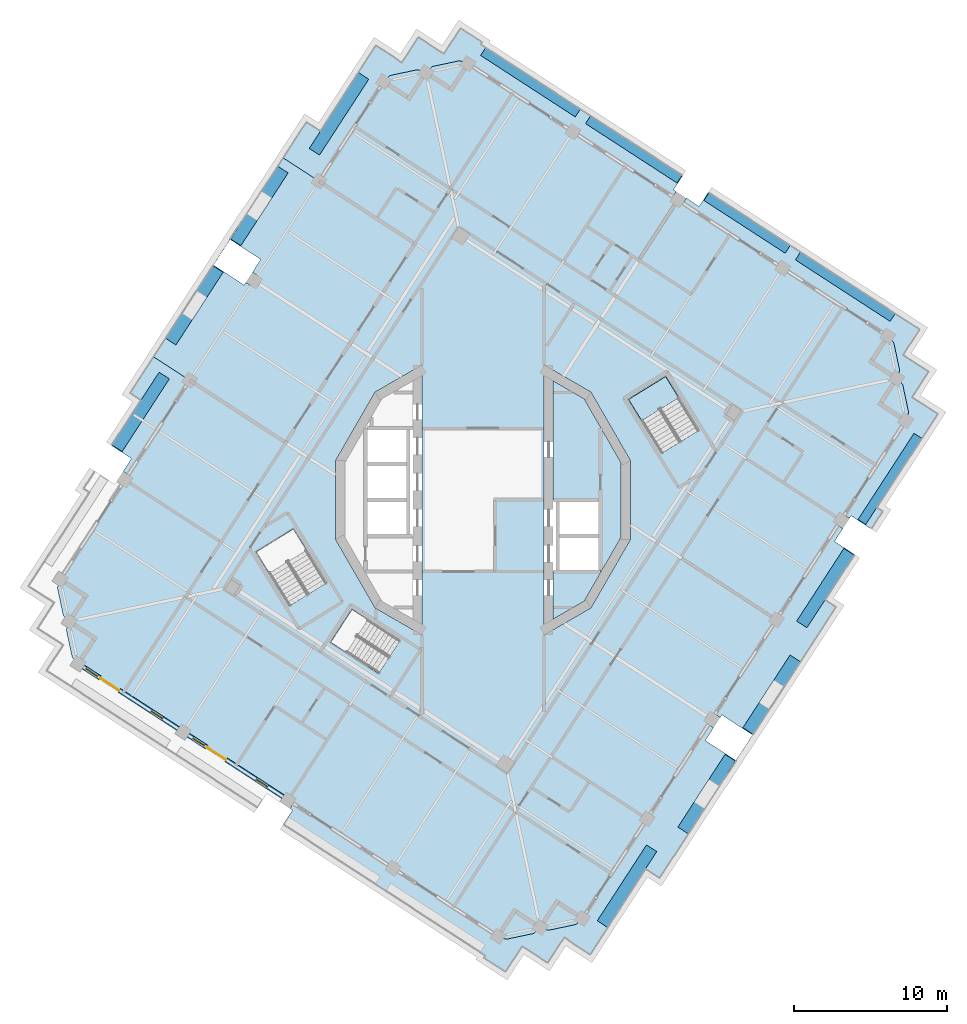
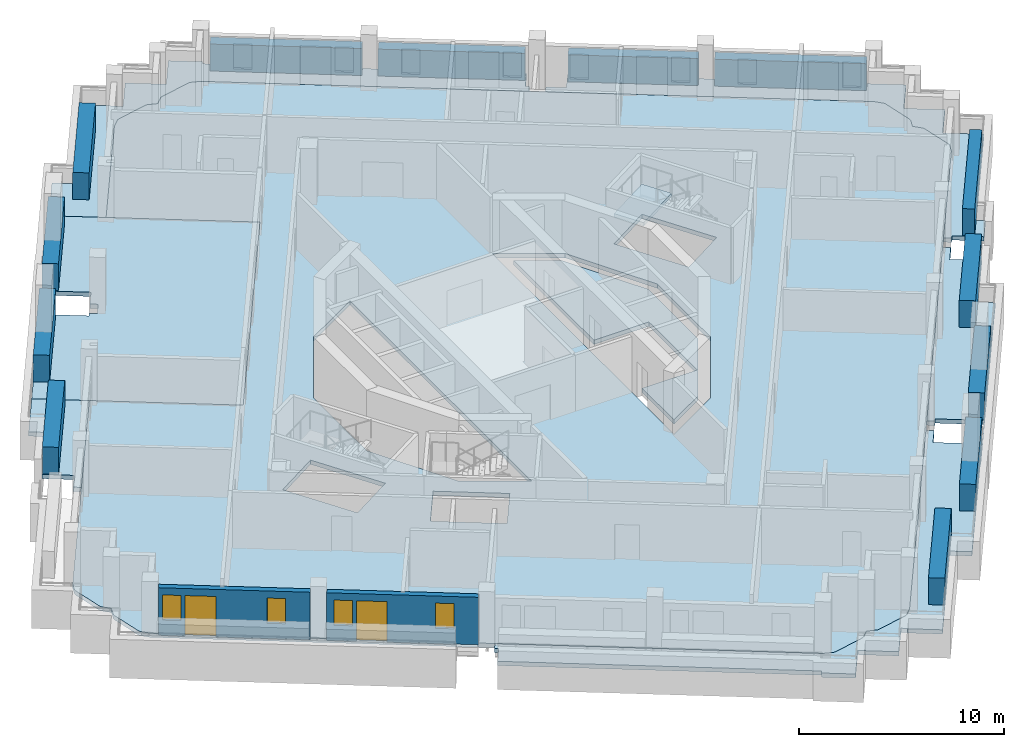
# One storey, part 3 of 15: 13 plates, 8 slabs, 4 windows, 2 doors, 2 walls, 6 openings, 1 element without a shape of its own.
"""IFC4 building model written with IfcOpenShell, lengths in metres."""

from ifc_helpers import new_model, si_unit, direction, frame, frame_2d, origin, origin_2d, place, context, subcontext, project, spatial, polyline, rectangle, outline, extrude, material, layer, layer_set, type_object, element, fill, aggregate, save


model = new_model("IFC4")

# Units and contexts
model_context = context("Model", 3, precision=1e-05, world=origin(), true_north=direction((0.0, 1.0)))
body_context = subcontext(model_context, "Body", "Model", "MODEL_VIEW")
ifc_project = project(units=[si_unit("LENGTHUNIT", "METRE"), si_unit("AREAUNIT", "SQUARE_METRE"), si_unit("VOLUMEUNIT", "CUBIC_METRE"), si_unit("PLANEANGLEUNIT", "RADIAN"), si_unit("MASSUNIT", "GRAM", prefix="KILO")], contexts=[model_context])

# Site, building, storey
site_placement = place(None, origin())
site = spatial("IfcSite", under=ifc_project, at=site_placement, CompositionType="ELEMENT")
building_placement = place(site_placement, origin())
building = spatial("IfcBuilding", under=site, at=building_placement, Name="Cantera Rosa Tower", CompositionType="ELEMENT")
storey_placement = place(building_placement, frame((0.0, 0.0, 282.89990234375)))
storey = spatial("IfcBuildingStorey", under=building, at=storey_placement, Name="L64", CompositionType="ELEMENT", Elevation=282.89990234375)

# Slabs
ifc_material_1 = material(Name="Concrete C35/45", Category="concrete")
ifc_layer_1 = layer(ifc_material_1, 0.25)
ifc_layer_set_1 = layer_set([ifc_layer_1], Name="COMPOSITE FLOOR SLAB 250 C35/45")
slab_type_1 = type_object("IfcSlabType", Name="COMPOSITE FLOOR SLAB 250 C35/45", PredefinedType="FLOOR", material=ifc_layer_set_1)
slab_1_placement = place(storey_placement, frame((0.0, 0.0, -0.25)))
element("IfcSlab", 1, at=slab_1_placement, inside=storey, type_object=slab_type_1, Name="SLAB L64 floor 2", PredefinedType="FLOOR", context=body_context, shape_type="SweptSolid", body=[
    extrude(outline(polyline([(0.106689453125, -28.030029296875), (-25.650146484375, -11.303466796875), (-26.52587890625, -10.734619140625), (-26.852783203125, -10.396240234375), (-26.873046875, -10.374755859375), (-26.890869140625, -10.351318359375), (-26.90625, -10.326416015625), (-26.919189453125, -10.2998046875), (-26.929443359375, -10.272216796875), (-26.93701171875, -10.243896484375), (-27.289794921875, -8.583740234375), (-27.294677734375, -8.5546875), (-27.29638671875, -8.525390625), (-27.29541015625, -8.49609375), (-27.29150390625, -8.466796875), (-27.28466796875, -8.43798828125), (-27.275146484375, -8.410400390625), (-27.114013671875, -7.968017578125), (-27.44091796875, -7.629638671875), (-27.461181640625, -7.608154296875), (-27.47900390625, -7.584716796875), (-27.494384765625, -7.559814453125), (-27.50732421875, -7.533203125), (-27.517578125, -7.505615234375), (-27.525146484375, -7.477294921875), (-27.8779296875, -5.817138671875), (-27.882568359375, -5.7880859375), (-27.884521484375, -5.7587890625), (-27.88330078125, -5.729248046875), (-27.87939453125, -5.7001953125), (-27.872802734375, -5.67138671875), (-27.863037109375, -5.643798828125), (-27.7021484375, -5.201416015625), (-27.13330078125, -4.32568359375), (-19.2275390625, 7.84814453125), (-12.9375, 3.763427734375), (-4.462890625, 16.81298828125), (-10.7529296875, 20.89794921875), (-7.08447265625, 26.547119140625), (-6.515625, 27.4228515625), (-6.17724609375, 27.749755859375), (-6.15576171875, 27.769775390625), (-6.132080078125, 27.78759765625), (-6.107177734375, 27.802978515625), (-6.080810546875, 27.81591796875), (-6.05322265625, 27.826416015625), (-6.024658203125, 27.833740234375), (-4.36474609375, 28.186767578125), (-4.335693359375, 28.19140625), (-4.306396484375, 28.193115234375), (-4.27685546875, 28.192138671875), (-4.247802734375, 28.188232421875), (-4.218994140625, 28.181396484375), (-4.191162109375, 28.171875), (-3.7490234375, 28.0107421875), (-3.41064453125, 28.337890625), (-3.388916015625, 28.35791015625), (-3.365478515625, 28.375732421875), (-3.340576171875, 28.39111328125), (-3.314208984375, 28.404052734375), (-3.28662109375, 28.414306640625), (-3.258056640625, 28.421875), (-1.59814453125, 28.774658203125), (-1.569091796875, 28.779296875), (-1.539794921875, 28.78125), (-1.51025390625, 28.7802734375), (-1.481201171875, 28.7763671875), (-1.452392578125, 28.76953125), (-1.424560546875, 28.760009765625), (-0.982421875, 28.598876953125), (-0.106689453125, 28.030029296875), (25.650146484375, 11.303466796875), (26.52587890625, 10.734619140625), (26.852783203125, 10.396240234375), (26.873046875, 10.374755859375), (26.890869140625, 10.351318359375), (26.90625, 10.326416015625), (26.919189453125, 10.2998046875), (26.929443359375, 10.272216796875), (26.93701171875, 10.243896484375), (27.289794921875, 8.583740234375), (27.294677734375, 8.5546875), (27.29638671875, 8.525390625), (27.29541015625, 8.49609375), (27.29150390625, 8.466796875), (27.28466796875, 8.43798828125), (27.275146484375, 8.410400390625), (27.114013671875, 7.968017578125), (27.44091796875, 7.629638671875), (27.461181640625, 7.608154296875), (27.47900390625, 7.584716796875), (27.494384765625, 7.559814453125), (27.50732421875, 7.533203125), (27.517578125, 7.505615234375), (27.525146484375, 7.477294921875), (27.8779296875, 5.817138671875), (27.882568359375, 5.7880859375), (27.884521484375, 5.7587890625), (27.88330078125, 5.729248046875), (27.87939453125, 5.7001953125), (27.872802734375, 5.67138671875), (27.863037109375, 5.643798828125), (27.7021484375, 5.201416015625), (27.13330078125, 4.32568359375), (7.08447265625, -26.547119140625), (6.515625, -27.4228515625), (6.17724609375, -27.749755859375), (6.15576171875, -27.769775390625), (6.132080078125, -27.78759765625), (6.107177734375, -27.802978515625), (6.080810546875, -27.81591796875), (6.05322265625, -27.826416015625), (6.024658203125, -27.833740234375), (4.36474609375, -28.186767578125), (4.335693359375, -28.19140625), (4.306396484375, -28.193115234375), (4.27685546875, -28.192138671875), (4.247802734375, -28.188232421875), (4.218994140625, -28.181396484375), (4.191162109375, -28.171875), (3.7490234375, -28.0107421875), (3.41064453125, -28.337890625), (3.388916015625, -28.35791015625), (3.365478515625, -28.375732421875), (3.340576171875, -28.39111328125), (3.314208984375, -28.404052734375), (3.28662109375, -28.414306640625), (3.258056640625, -28.421875), (1.59814453125, -28.774658203125), (1.569091796875, -28.779296875), (1.539794921875, -28.78125), (1.51025390625, -28.7802734375), (1.481201171875, -28.7763671875), (1.452392578125, -28.76953125), (1.424560546875, -28.760009765625), (0.982421875, -28.598876953125), (0.106689453125, -28.030029296875)]), holes=[polyline([(-9.97021484375, -9.3212890625), (-6.835205078125, -11.357177734375), (-5.4462890625, -9.218505859375), (-8.581298828125, -7.1826171875), (-9.97021484375, -9.3212890625)]), polyline([(-14.8564453125, -3.407470703125), (-12.68408203125, -6.929443359375), (-10.258544921875, -5.433349609375), (-12.430908203125, -1.911376953125), (-14.8564453125, -3.407470703125)]), polyline([(-9.6591796875, -2.588134765625), (-7.071044921875, -7.071044921875), (-4.0, -8.843994140625), (-4.0, 8.843994140625), (-7.071044921875, 7.071044921875), (-9.6591796875, 2.588134765625), (-9.6591796875, -2.588134765625)]), polyline([(9.6591796875, 2.588134765625), (7.071044921875, 7.071044921875), (4.0, 8.843994140625), (4.0, -8.843994140625), (7.071044921875, -7.071044921875), (9.6591796875, -2.588134765625), (9.6591796875, 2.588134765625)]), polyline([(11.96923828125, 8.088623046875), (9.54345703125, 6.592529296875), (11.7158203125, 3.070556640625), (14.1416015625, 4.566650390625), (11.96923828125, 8.088623046875)])]), origin(), (0.0, 0.0, 1.0), 0.25),
])
slab_2_placement = place(storey_placement, frame((0.0, 0.0, -0.25)))
element("IfcSlab", 2, at=slab_2_placement, inside=storey, type_object=slab_type_1, Name="SLAB L64 floor 3", PredefinedType="FLOOR", context=body_context, shape_type="SweptSolid", body=[
    extrude(outline(polyline([(7.699951171875, 0.0), (4.60009765625, 0.0), (4.60009765625, 7.804931640625), (6.6318359375, 6.6318359375), (9.059326171875, 2.427490234375), (9.059326171875, -2.427490234375), (6.6318359375, -6.6318359375), (4.60009765625, -7.804931640625), (4.60009765625, -4.699951171875), (7.699951171875, -4.699951171875), (7.699951171875, -2.35009765625), (7.699951171875, 0.0)])), origin(), (0.0, 0.0, 1.0), 0.25),
])
ifc_material_2 = material(Name="Concrete C35/45", Category="concrete")
ifc_layer_2 = layer(ifc_material_2, 0.25)
ifc_layer_set_2 = layer_set([ifc_layer_2], Name="LOGGIA SLAB 250 C35/45")
slab_type_2 = type_object("IfcSlabType", Name="LOGGIA SLAB 250 C35/45", PredefinedType="FLOOR", material=ifc_layer_set_2)
slab_3_placement = place(storey_placement, frame((0.0, 0.0, -0.25)))
element("IfcSlab", 3, at=slab_3_placement, inside=storey, type_object=slab_type_2, Name="LOGGIA SLAB L64 2", PredefinedType="FLOOR", context=body_context, shape_type="SweptSolid", body=[
    extrude(outline(polyline([(-23.2470703125, 1.65869140625), (-23.58251953125, 1.876708984375), (-23.037841796875, 2.71533203125), (-24.34912109375, 3.56689453125), (-22.405517578125, 6.5595703125), (-23.11669921875, 7.021484375), (-21.58544921875, 9.37939453125), (-19.2275390625, 7.84814453125), (-23.2470703125, 1.65869140625)])), origin(), (0.0, 0.0, 1.0), 0.25),
])
slab_4_placement = place(storey_placement, frame((0.0, 0.0, -0.25)))
element("IfcSlab", 4, at=slab_4_placement, inside=storey, type_object=slab_type_2, Name="LOGGIA SLAB L64 3", PredefinedType="FLOOR", context=body_context, shape_type="SweptSolid", body=[
    extrude(outline(polyline([(-5.607666015625, 28.82080078125), (-5.32861328125, 28.639404296875), (-5.147216796875, 28.918701171875), (-4.2392578125, 30.31689453125), (-2.841064453125, 29.408935546875), (-2.561767578125, 29.2275390625), (-1.47265625, 30.90478515625), (-0.074462890625, 29.9970703125), (-0.16552734375, 29.85693359375), (5.45361328125, 26.207763671875), (7.9697265625, 24.573974609375), (12.330810546875, 21.74169921875), (13.08544921875, 21.251708984375), (12.486328125, 20.3291015625), (12.654296875, 20.22021484375), (12.436279296875, 19.884765625), (-0.106689453125, 28.030029296875), (-0.982421875, 28.598876953125), (-1.424560546875, 28.760009765625), (-1.452392578125, 28.76953125), (-1.481201171875, 28.7763671875), (-1.51025390625, 28.7802734375), (-1.539794921875, 28.78125), (-1.569091796875, 28.779296875), (-1.59814453125, 28.774658203125), (-3.258056640625, 28.421875), (-3.28662109375, 28.414306640625), (-3.314208984375, 28.404052734375), (-3.340576171875, 28.39111328125), (-3.365478515625, 28.375732421875), (-3.388916015625, 28.35791015625), (-3.41064453125, 28.337890625), (-3.7490234375, 28.0107421875), (-4.191162109375, 28.171875), (-4.218994140625, 28.181396484375), (-4.247802734375, 28.188232421875), (-4.27685546875, 28.192138671875), (-4.306396484375, 28.193115234375), (-4.335693359375, 28.19140625), (-4.36474609375, 28.186767578125), (-6.024658203125, 27.833740234375), (-6.05322265625, 27.826416015625), (-6.080810546875, 27.81591796875), (-6.107177734375, 27.802978515625), (-6.132080078125, 27.78759765625), (-6.15576171875, 27.769775390625), (-6.17724609375, 27.749755859375), (-6.515625, 27.4228515625), (-7.08447265625, 26.547119140625), (-10.7529296875, 20.89794921875), (-13.090576171875, 22.416015625), (-11.572509765625, 24.75341796875), (-10.66064453125, 24.161376953125), (-7.015380859375, 29.7744140625), (-5.58984375, 28.848388671875), (-5.607666015625, 28.82080078125)])), origin(), (0.0, 0.0, 1.0), 0.25),
])
slab_5_placement = place(storey_placement, frame((0.0, 0.0, -0.25)))
element("IfcSlab", 5, at=slab_5_placement, inside=storey, type_object=slab_type_2, Name="LOGGIA SLAB L64 4", PredefinedType="FLOOR", context=body_context, shape_type="SweptSolid", body=[
    extrude(outline(polyline([(5.32861328125, -28.639404296875), (5.147216796875, -28.918701171875), (4.2392578125, -30.31689453125), (2.841064453125, -29.408935546875), (2.561767578125, -29.2275390625), (1.47265625, -30.90478515625), (0.074462890625, -29.9970703125), (0.16552734375, -29.85693359375), (-5.45361328125, -26.207763671875), (-7.9697265625, -24.573974609375), (-12.330810546875, -21.74169921875), (-13.08544921875, -21.251708984375), (-12.486328125, -20.3291015625), (-12.654296875, -20.22021484375), (-12.436279296875, -19.884765625), (0.106689453125, -28.030029296875), (0.982421875, -28.598876953125), (1.424560546875, -28.760009765625), (1.452392578125, -28.76953125), (1.481201171875, -28.7763671875), (1.51025390625, -28.7802734375), (1.539794921875, -28.78125), (1.569091796875, -28.779296875), (1.59814453125, -28.774658203125), (3.258056640625, -28.421875), (3.28662109375, -28.414306640625), (3.314208984375, -28.404052734375), (3.340576171875, -28.39111328125), (3.365478515625, -28.375732421875), (3.388916015625, -28.35791015625), (3.41064453125, -28.337890625), (3.7490234375, -28.0107421875), (4.191162109375, -28.171875), (4.218994140625, -28.181396484375), (4.247802734375, -28.188232421875), (4.27685546875, -28.192138671875), (4.306396484375, -28.193115234375), (4.335693359375, -28.19140625), (4.36474609375, -28.186767578125), (6.024658203125, -27.833740234375), (6.05322265625, -27.826416015625), (6.080810546875, -27.81591796875), (6.107177734375, -27.802978515625), (6.132080078125, -27.78759765625), (6.15576171875, -27.769775390625), (6.17724609375, -27.749755859375), (6.515625, -27.4228515625), (7.08447265625, -26.547119140625), (14.7724609375, -14.70849609375), (15.10791015625, -14.926513671875), (14.563232421875, -15.76513671875), (16.575927734375, -17.072265625), (17.665283203125, -15.39501953125), (15.652587890625, -14.087646484375), (15.543701171875, -14.255615234375), (15.2080078125, -14.03759765625), (23.2470703125, -1.65869140625), (23.58251953125, -1.876708984375), (23.037841796875, -2.71533203125), (24.34912109375, -3.56689453125), (22.405517578125, -6.5595703125), (23.11669921875, -7.021484375), (15.81689453125, -18.26220703125), (15.79638671875, -18.2490234375), (11.572509765625, -24.75341796875), (10.66064453125, -24.161376953125), (7.015380859375, -29.7744140625), (5.58984375, -28.848388671875), (5.607666015625, -28.82080078125), (5.32861328125, -28.639404296875)])), origin(), (0.0, 0.0, 1.0), 0.25),
])
slab_6_placement = place(storey_placement, frame((0.0, 0.0, -0.25)))
element("IfcSlab", 6, at=slab_6_placement, inside=storey, type_object=slab_type_2, Name="LOGGIA SLAB L64 5", PredefinedType="FLOOR", context=body_context, shape_type="SweptSolid", body=[
    extrude(outline(polyline([(27.783935546875, 9.917724609375), (27.51171875, 9.49853515625), (27.930908203125, 9.22607421875), (29.18896484375, 8.4091796875), (28.3720703125, 7.151123046875), (28.099609375, 6.731689453125), (28.51904296875, 6.45947265625), (28.524658203125, 6.468017578125), (29.791015625, 5.6455078125), (25.80078125, -0.499267578125), (26.180908203125, -0.74609375), (25.438232421875, -1.889404296875), (24.127197265625, -1.0380859375), (24.01806640625, -1.205810546875), (23.6826171875, -0.98779296875), (27.13330078125, 4.32568359375), (27.7021484375, 5.201416015625), (27.863037109375, 5.643798828125), (27.872802734375, 5.67138671875), (27.87939453125, 5.7001953125), (27.88330078125, 5.729248046875), (27.884521484375, 5.7587890625), (27.882568359375, 5.7880859375), (27.8779296875, 5.817138671875), (27.525146484375, 7.477294921875), (27.517578125, 7.505615234375), (27.50732421875, 7.533203125), (27.494384765625, 7.559814453125), (27.47900390625, 7.584716796875), (27.461181640625, 7.608154296875), (27.44091796875, 7.629638671875), (27.114013671875, 7.968017578125), (27.275146484375, 8.410400390625), (27.28466796875, 8.43798828125), (27.29150390625, 8.466796875), (27.29541015625, 8.49609375), (27.29638671875, 8.525390625), (27.294677734375, 8.5546875), (27.289794921875, 8.583740234375), (26.93701171875, 10.243896484375), (26.929443359375, 10.272216796875), (26.919189453125, 10.2998046875), (26.90625, 10.326416015625), (26.890869140625, 10.351318359375), (26.873046875, 10.374755859375), (26.852783203125, 10.396240234375), (26.52587890625, 10.734619140625), (25.650146484375, 11.303466796875), (13.107421875, 19.448974609375), (13.3251953125, 19.784423828125), (14.163818359375, 19.23974609375), (14.762939453125, 20.162353515625), (14.8466796875, 20.10791015625), (19.207763671875, 17.275634765625), (21.723876953125, 15.641845703125), (27.343017578125, 11.992919921875), (28.600830078125, 11.17578125), (27.783935546875, 9.917724609375)])), origin(), (0.0, 0.0, 1.0), 0.25),
])

# Plates
ifc_material_3 = material(Name="Cantera stone planter with soil", Category="masonry")
plate_type_1 = type_object("IfcPlateType", Name="PLANTER 600", PredefinedType="USERDEFINED", material=ifc_material_3)
plate_1_placement = place(storey_placement, frame((23.740966796875, 13.97412109375, 0.0), z_axis=(0.0, 0.0, 1.0), x_axis=(-0.838670567945, 0.544639035015, 0.0)))
element("IfcPlate", 7, at=plate_1_placement, inside=storey, type_object=plate_type_1, Name="PLANTER L64-01", ObjectType="PLANTER", PredefinedType="USERDEFINED", context=body_context, shape_type="SweptSolid", body=[
    extrude(rectangle(XDim=7.39990234375, YDim=0.60009765625, at=origin_2d()), origin(), (0.0, 0.0, 1.0), 1.60009765625),
])
plate_2_placement = place(storey_placement, frame((17.30419921875, 18.154296875, 0.0), z_axis=(0.0, 0.0, 1.0), x_axis=(-0.838670567945, 0.544639035015, 0.0)))
element("IfcPlate", 8, at=plate_2_placement, inside=storey, type_object=plate_type_1, Name="PLANTER L64-02", ObjectType="PLANTER", PredefinedType="USERDEFINED", context=body_context, shape_type="SweptSolid", body=[
    extrude(rectangle(XDim=6.35009765625, YDim=0.60009765625, at=origin_2d()), origin(), (0.0, 0.0, 1.0), 1.60009765625),
])
plate_3_placement = place(storey_placement, frame((9.882080078125, 22.974365234375, 0.0), z_axis=(0.0, 0.0, 1.0), x_axis=(-0.838670567945, 0.544639035015, 0.0)))
element("IfcPlate", 9, at=plate_3_placement, inside=storey, type_object=plate_type_1, Name="PLANTER L64-03", ObjectType="PLANTER", PredefinedType="USERDEFINED", context=body_context, shape_type="SweptSolid", body=[
    extrude(rectangle(XDim=7.14990234375, YDim=0.60009765625, at=origin_2d()), origin(), (0.0, 0.0, 1.0), 1.60009765625),
])
plate_4_placement = place(storey_placement, frame((3.109619140625, 27.372314453125, 0.0), z_axis=(0.0, 0.0, 1.0), x_axis=(-0.838670567945, 0.544639035015, 0.0)))
element("IfcPlate", 10, at=plate_4_placement, inside=storey, type_object=plate_type_1, Name="PLANTER L64-04", ObjectType="PLANTER", PredefinedType="USERDEFINED", context=body_context, shape_type="SweptSolid", body=[
    extrude(rectangle(XDim=7.39990234375, YDim=0.60009765625, at=origin_2d()), origin(), (0.0, 0.0, 1.0), 1.60009765625),
])
plate_5_placement = place(storey_placement, frame((26.66650390625, 1.384765625, 0.0), z_axis=(0.0, 0.0, 1.0), x_axis=(0.544639035015, 0.838670567945, 0.0)))
element("IfcPlate", 11, at=plate_5_placement, inside=storey, type_object=plate_type_1, Name="PLANTER L64-18", ObjectType="PLANTER", PredefinedType="USERDEFINED", context=body_context, shape_type="SweptSolid", body=[
    extrude(rectangle(XDim=6.72998046875, YDim=0.60009765625, at=origin_2d()), origin(), (0.0, 0.0, 1.0), 1.60009765625),
])
ifc_material_4 = material(Name="Cantera stone planter with soil", Category="masonry")
plate_type_2 = type_object("IfcPlateType", Name="PLANTER 800", PredefinedType="USERDEFINED", material=ifc_material_4)
plate_6_placement = place(storey_placement, frame((-9.438720703125, 25.30859375, 0.0), z_axis=(0.0, 0.0, 1.0), x_axis=(-0.544639035015, -0.838670567945, 0.0)))
element("IfcPlate", 12, at=plate_6_placement, inside=storey, type_object=plate_type_2, Name="PLANTER L64-05", ObjectType="PLANTER", PredefinedType="USERDEFINED", context=body_context, shape_type="SweptSolid", body=[
    extrude(rectangle(XDim=5.929931640625, YDim=0.800048828125, at=origin_2d()), origin(), (0.0, 0.0, 1.0), 1.60009765625),
])
for number, where, z_axis, x_axis, name in (
    (13, (-14.65576171875, 19.271240234375, 0.0), (0.0, 0.0, 1.0), (-0.544639035015, -0.838670567945, 0.0), "PLANTER L64-06"),
    (14, (-18.91357421875, 12.759521484375, 0.0), (0.0, 0.0, 1.0), (-0.544639035015, -0.838670567945, 0.0), "PLANTER L64-07"),
    (15, (-22.439453125, 5.772705078125, 0.0), (0.0, 0.0, 1.0), (-0.544639035015, -0.838670567945, 0.0), "PLANTER L64-08"),
):
    element("IfcPlate", number, at=place(storey_placement, frame(where, z_axis=z_axis, x_axis=x_axis)), inside=storey, type_object=plate_type_2, Name=name, ObjectType="PLANTER", PredefinedType="USERDEFINED", context=body_context, shape_type="SweptSolid", body=[
        extrude(rectangle(XDim=5.679931640625, YDim=0.800048828125, at=origin_2d()), origin(), (0.0, 0.0, 1.0), 1.60009765625),
    ])
plate_7_placement = place(storey_placement, frame((9.438720703125, -25.30859375, 0.0), z_axis=(0.0, 0.0, 1.0), x_axis=(0.544639035015, 0.838670567945, 0.0)))
element("IfcPlate", 16, at=plate_7_placement, inside=storey, type_object=plate_type_2, Name="PLANTER L64-14", ObjectType="PLANTER", PredefinedType="USERDEFINED", context=body_context, shape_type="SweptSolid", body=[
    extrude(rectangle(XDim=5.929931640625, YDim=0.800048828125, at=origin_2d()), origin(), (0.0, 0.0, 1.0), 1.60009765625),
])
for number, where, z_axis, x_axis, name in (
    (17, (14.65576171875, -19.271240234375, 0.0), (0.0, 0.0, 1.0), (0.544639035015, 0.838670567945, 0.0), "PLANTER L64-15"),
    (18, (18.91357421875, -12.759521484375, 0.0), (0.0, 0.0, 1.0), (0.544639035015, 0.838670567945, 0.0), "PLANTER L64-16"),
    (19, (22.439453125, -5.772705078125, 0.0), (0.0, 0.0, 1.0), (0.544639035015, 0.838670567945, 0.0), "PLANTER L64-17"),
):
    element("IfcPlate", number, at=place(storey_placement, frame(where, z_axis=z_axis, x_axis=x_axis)), inside=storey, type_object=plate_type_2, Name=name, ObjectType="PLANTER", PredefinedType="USERDEFINED", context=body_context, shape_type="SweptSolid", body=[
        extrude(rectangle(XDim=5.679931640625, YDim=0.800048828125, at=origin_2d()), origin(), (0.0, 0.0, 1.0), 1.60009765625),
    ])

# Stair, slab
ifc_material_5 = material(Name="Concrete C35/45", Category="concrete")
stair_type = type_object("IfcStairType", Name="EXIT STAIR 1350 DOGLEG", PredefinedType="HALF_TURN_STAIR", material=ifc_material_5)
stair_placement = place(storey_placement, origin())
stair = element("IfcStair", 20, at=stair_placement, inside=storey, type_object=stair_type, Name="L64 ST-51", PredefinedType="HALF_TURN_STAIR")
ifc_material_6 = material(Name="Concrete C35/45", Category="concrete")
ifc_layer_3 = layer(ifc_material_6, 0.199951171875)
ifc_layer_set_3 = layer_set([ifc_layer_3], Name="STAIR LANDING 200")
slab_type_3 = type_object("IfcSlabType", Name="STAIR LANDING 200", PredefinedType="LANDING", material=ifc_layer_set_3)
slab_7_placement = place(storey_placement, frame((0.0, 0.0, 1.60009765625)))
slab_7 = element("IfcSlab", 21, at=slab_7_placement, type_object=slab_type_3, Name="ST-51 landing 1", PredefinedType="LANDING", context=body_context, shape_type="SweptSolid", body=[
    extrude(outline(polyline([(12.8310546875, 6.691162109375), (11.96923828125, 8.088623046875), (9.54345703125, 6.592529296875), (10.405517578125, 5.19482421875), (12.8310546875, 6.691162109375)])), origin(), (0.0, 0.0, 1.0), 0.199951171875),
])
aggregate(stair, [slab_7])

# Slab
ifc_material_7 = material(Name="Concrete C35/45", Category="concrete")
ifc_layer_4 = layer(ifc_material_7, 0.25)
ifc_layer_set_4 = layer_set([ifc_layer_4], Name="TERRACE SLAB 250 C35/45")
slab_type_4 = type_object("IfcSlabType", Name="TERRACE SLAB 250 C35/45", PredefinedType="FLOOR", material=ifc_layer_set_4)
slab_8_placement = place(storey_placement, frame((0.0, 0.0, -0.25)))
element("IfcSlab", 22, at=slab_8_placement, inside=storey, type_object=slab_type_4, Name="TERRACE SLAB L64 1", PredefinedType="FLOOR", context=body_context, shape_type="SweptSolid", body=[
    extrude(outline(polyline([(-12.9375, 3.763427734375), (-19.2275390625, 7.84814453125), (-21.58544921875, 9.37939453125), (-15.81689453125, 18.26220703125), (-15.79638671875, 18.2490234375), (-13.090576171875, 22.416015625), (-10.7529296875, 20.89794921875), (-4.462890625, 16.81298828125), (-12.9375, 3.763427734375)]), holes=[polyline([(-14.7724609375, 14.70849609375), (-15.10791015625, 14.926513671875), (-14.563232421875, 15.76513671875), (-16.575927734375, 17.072265625), (-17.665283203125, 15.39501953125), (-15.652587890625, 14.087646484375), (-15.543701171875, 14.255615234375), (-15.2080078125, 14.03759765625), (-14.7724609375, 14.70849609375)])]), origin(), (0.0, 0.0, 1.0), 0.25),
])

# Wall, openings, windows, door
ifc_material_8 = material(Name="Hollow clay masonry with cantera stone cladding", Category="masonry")
ifc_layer_5 = layer(ifc_material_8, 0.300048828125)
ifc_layer_set_5 = layer_set([ifc_layer_5], Name="EW-LOGGIA 300 H2820")
wall_type = type_object("IfcWallType", Name="EW-LOGGIA 300 H2820", PredefinedType="SOLIDWALL", material=ifc_layer_set_5)
wall_1_placement = place(storey_placement, frame((-26.1904296875, -10.95263671875, 0.0), z_axis=(0.0, 0.0, 1.0), x_axis=(0.838669679097, -0.544640403719, 0.0)))
wall_1 = element("IfcWall", 23, at=wall_1_placement, inside=storey, type_object=wall_type, Name="EN-L64-W14", PredefinedType="SOLIDWALL", context=body_context, shape_type="SweptSolid", body=[
    extrude(rectangle(XDim=7.39990234375, YDim=0.300048828125, at=frame_2d((3.699951171875, 0.0))), origin(), (0.0, 0.0, 1.0), 2.820068359375),
])
opening_1_placement = place(wall_1_placement, frame((0.199951171875, 0.0, 0.89990234375)))
opening_1 = element("IfcOpeningElement", 24, at=opening_1_placement, cuts=wall_1, Name="Opening L64-W22", PredefinedType="OPENING", context=body_context, shape_type="SweptSolid", body=[
    extrude(rectangle(XDim=0.89990234375, YDim=1.5, at=frame_2d((0.449951171875, 0.75))), frame((0.0, 0.159912109375, 0.0), z_axis=(0.0, -1.0, 0.0), x_axis=(1.0, 0.0, 0.0)), (0.0, 0.0, 1.0), 0.320068359375),
])
opening_2_placement = place(wall_1_placement, frame((1.300048828125, 0.0, 0.0)))
opening_2 = element("IfcOpeningElement", 25, at=opening_2_placement, cuts=wall_1, Name="Opening L64-TD23", PredefinedType="OPENING", context=body_context, shape_type="SweptSolid", body=[
    extrude(rectangle(XDim=1.5, YDim=2.39990234375, at=frame_2d((0.75, 1.199951171875))), frame((0.0, 0.159912109375, 0.0), z_axis=(0.0, -1.0, 0.0), x_axis=(1.0, 0.0, 0.0)), (0.0, 0.0, 1.0), 0.320068359375),
])
opening_3_placement = place(wall_1_placement, frame((5.300048828125, 0.0, 0.89990234375)))
opening_3 = element("IfcOpeningElement", 26, at=opening_3_placement, cuts=wall_1, Name="Opening L64-W24", PredefinedType="OPENING", context=body_context, shape_type="SweptSolid", body=[
    extrude(rectangle(XDim=0.89990234375, YDim=1.5, at=frame_2d((0.449951171875, 0.75))), frame((0.0, 0.159912109375, 0.0), z_axis=(0.0, -1.0, 0.0), x_axis=(1.0, 0.0, 0.0)), (0.0, 0.0, 1.0), 0.320068359375),
])
ifc_material_9 = material(Name="Aluminium frame with clear glass", Category="aluminium")
window_type = type_object("IfcWindowType", Name="Residential window 900x1500", PartitioningType="SINGLE_PANEL", PredefinedType="WINDOW", material=ifc_material_9)
window_1_placement = place(opening_1_placement, origin())
window_1 = element("IfcWindow", 27, at=window_1_placement, inside=storey, type_object=window_type, Name="WINDOW L64-W22", OverallHeight=1.5, OverallWidth=0.89990234375, PartitioningType="SINGLE_PANEL", PredefinedType="WINDOW", context=body_context, shape_type="SweptSolid", body=[
    extrude(rectangle(XDim=0.89990234375, YDim=1.5, at=frame_2d((0.449951171875, 0.75))), frame((0.0, 0.030029296875, 0.0), z_axis=(0.0, -1.0, 0.0), x_axis=(1.0, 0.0, 0.0)), (0.0, 0.0, 1.0), 0.06005859375),
])
fill(opening_1, window_1)
window_2_placement = place(opening_3_placement, origin())
window_2 = element("IfcWindow", 28, at=window_2_placement, inside=storey, type_object=window_type, Name="WINDOW L64-W24", OverallHeight=1.5, OverallWidth=0.89990234375, PartitioningType="SINGLE_PANEL", PredefinedType="WINDOW", context=body_context, shape_type="SweptSolid", body=[
    extrude(rectangle(XDim=0.89990234375, YDim=1.5, at=frame_2d((0.449951171875, 0.75))), frame((0.0, 0.030029296875, 0.0), z_axis=(0.0, -1.0, 0.0), x_axis=(1.0, 0.0, 0.0)), (0.0, 0.0, 1.0), 0.06005859375),
])
fill(opening_3, window_2)
ifc_material_10 = material(Name="Aluminium frame with clear glass", Category="aluminium")
door_type = type_object("IfcDoorType", Name="TD-R 1500x2400", OperationType="NOTDEFINED", PredefinedType="DOOR", material=ifc_material_10)
door_1_placement = place(opening_2_placement, origin())
door_1 = element("IfcDoor", 29, at=door_1_placement, inside=storey, type_object=door_type, Name="LOGGIA DOOR L64-TD23", OperationType="SLIDING_TO_LEFT", OverallHeight=2.39990234375, OverallWidth=1.5, PredefinedType="DOOR", context=body_context, shape_type="SweptSolid", body=[
    extrude(rectangle(XDim=1.5, YDim=2.39990234375, at=frame_2d((0.75, 1.199951171875))), frame((0.0, 0.02490234375, 0.0), z_axis=(0.0, -1.0, 0.0), x_axis=(1.0, 0.0, 0.0)), (0.0, 0.0, 1.0), 0.050048828125),
])
fill(opening_2, door_1)

wall_2_placement = place(storey_placement, frame((-19.3134765625, -15.418701171875, 0.0), z_axis=(0.0, 0.0, 1.0), x_axis=(0.838679465365, -0.544625333946, 0.0)))
wall_2 = element("IfcWall", 30, at=wall_2_placement, inside=storey, type_object=wall_type, Name="EN-L64-W15", PredefinedType="SOLIDWALL", context=body_context, shape_type="SweptSolid", body=[
    extrude(rectangle(XDim=7.400146484375, YDim=0.300048828125, at=frame_2d((3.7001953125, 0.0))), origin(), (0.0, 0.0, 1.0), 2.820068359375),
])
opening_4_placement = place(wall_2_placement, frame((0.35009765625, 0.0, 0.89990234375)))
opening_4 = element("IfcOpeningElement", 31, at=opening_4_placement, cuts=wall_2, Name="Opening L64-W25", PredefinedType="OPENING", context=body_context, shape_type="SweptSolid", body=[
    extrude(rectangle(XDim=0.89990234375, YDim=1.5, at=frame_2d((0.449951171875, 0.75))), frame((0.0, 0.159912109375, 0.0), z_axis=(0.0, -1.0, 0.0), x_axis=(1.0, 0.0, 0.0)), (0.0, 0.0, 1.0), 0.320068359375),
])
opening_5_placement = place(wall_2_placement, frame((1.449951171875, 0.0, 0.0)))
opening_5 = element("IfcOpeningElement", 32, at=opening_5_placement, cuts=wall_2, Name="Opening L64-TD26", PredefinedType="OPENING", context=body_context, shape_type="SweptSolid", body=[
    extrude(rectangle(XDim=1.5, YDim=2.39990234375, at=frame_2d((0.75, 1.199951171875))), frame((0.0, 0.159912109375, 0.0), z_axis=(0.0, -1.0, 0.0), x_axis=(1.0, 0.0, 0.0)), (0.0, 0.0, 1.0), 0.320068359375),
])
opening_6_placement = place(wall_2_placement, frame((5.300048828125, 0.0, 0.89990234375)))
opening_6 = element("IfcOpeningElement", 33, at=opening_6_placement, cuts=wall_2, Name="Opening L64-W27", PredefinedType="OPENING", context=body_context, shape_type="SweptSolid", body=[
    extrude(rectangle(XDim=0.89990234375, YDim=1.5, at=frame_2d((0.449951171875, 0.75))), frame((0.0, 0.159912109375, 0.0), z_axis=(0.0, -1.0, 0.0), x_axis=(1.0, 0.0, 0.0)), (0.0, 0.0, 1.0), 0.320068359375),
])
window_3_placement = place(opening_4_placement, origin())
window_3 = element("IfcWindow", 34, at=window_3_placement, inside=storey, type_object=window_type, Name="WINDOW L64-W25", OverallHeight=1.5, OverallWidth=0.89990234375, PartitioningType="SINGLE_PANEL", PredefinedType="WINDOW", context=body_context, shape_type="SweptSolid", body=[
    extrude(rectangle(XDim=0.89990234375, YDim=1.5, at=frame_2d((0.449951171875, 0.75))), frame((0.0, 0.030029296875, 0.0), z_axis=(0.0, -1.0, 0.0), x_axis=(1.0, 0.0, 0.0)), (0.0, 0.0, 1.0), 0.06005859375),
])
fill(opening_4, window_3)
window_4_placement = place(opening_6_placement, origin())
window_4 = element("IfcWindow", 35, at=window_4_placement, inside=storey, type_object=window_type, Name="WINDOW L64-W27", OverallHeight=1.5, OverallWidth=0.89990234375, PartitioningType="SINGLE_PANEL", PredefinedType="WINDOW", context=body_context, shape_type="SweptSolid", body=[
    extrude(rectangle(XDim=0.89990234375, YDim=1.5, at=frame_2d((0.449951171875, 0.75))), frame((0.0, 0.030029296875, 0.0), z_axis=(0.0, -1.0, 0.0), x_axis=(1.0, 0.0, 0.0)), (0.0, 0.0, 1.0), 0.06005859375),
])
fill(opening_6, window_4)
door_2_placement = place(opening_5_placement, origin())
door_2 = element("IfcDoor", 36, at=door_2_placement, inside=storey, type_object=door_type, Name="LOGGIA DOOR L64-TD26", OperationType="SLIDING_TO_LEFT", OverallHeight=2.39990234375, OverallWidth=1.5, PredefinedType="DOOR", context=body_context, shape_type="SweptSolid", body=[
    extrude(rectangle(XDim=1.5, YDim=2.39990234375, at=frame_2d((0.75, 1.199951171875))), frame((0.0, 0.02490234375, 0.0), z_axis=(0.0, -1.0, 0.0), x_axis=(1.0, 0.0, 0.0)), (0.0, 0.0, 1.0), 0.050048828125),
])
fill(opening_5, door_2)

save(model, "model.ifc")
